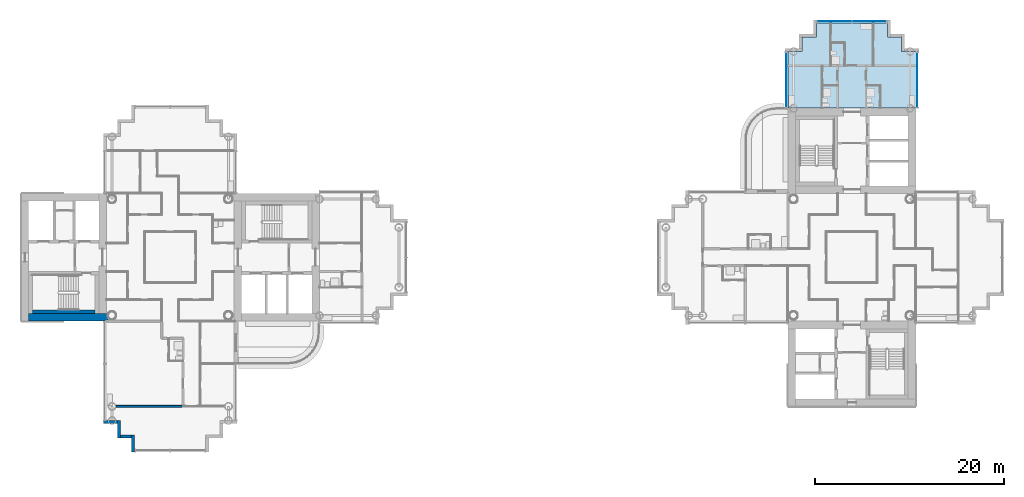
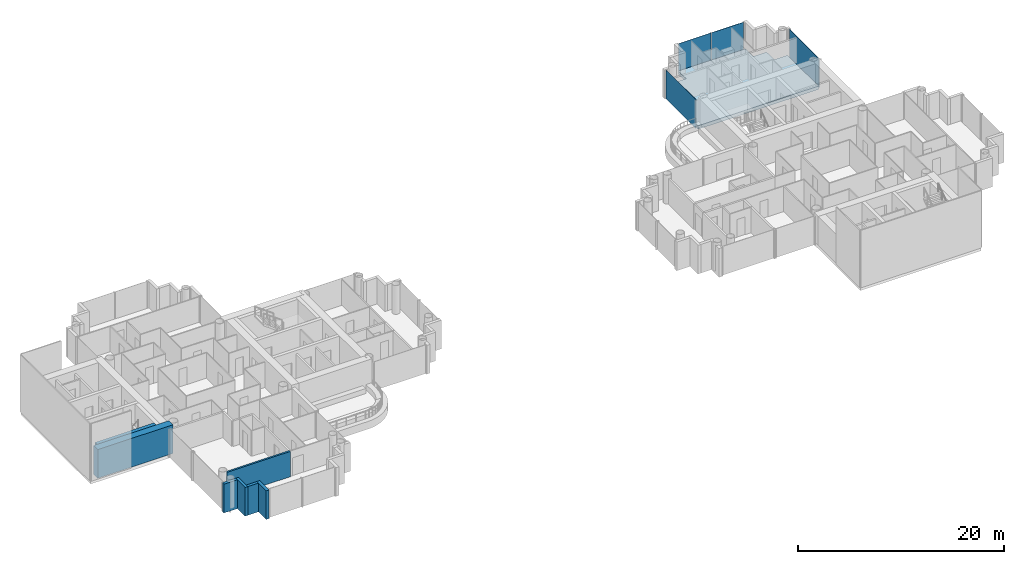
# One storey, part 6 of 20: 7 walls, 4 plates, 1 slab, 3 elements without a shape of their own.
"""IFC4 building model written with IfcOpenShell, lengths in metres."""

from ifc_helpers import new_model, si_unit, direction, frame, frame_2d, origin, origin_2d, place, context, subcontext, project, spatial, polyline, rectangle, outline, extrude, material, layer, layer_set, type_object, element, aggregate, save


model = new_model("IFC4")

# Units and contexts
model_context = context("Model", 3, precision=1e-05, world=origin(), true_north=direction((0.0, 1.0)))
body_context = subcontext(model_context, "Body", "Model", "MODEL_VIEW")
ifc_project = project(units=[si_unit("LENGTHUNIT", "METRE"), si_unit("AREAUNIT", "SQUARE_METRE"), si_unit("VOLUMEUNIT", "CUBIC_METRE"), si_unit("PLANEANGLEUNIT", "RADIAN"), si_unit("MASSUNIT", "GRAM", prefix="KILO")], contexts=[model_context])

# Site, building, storey
site_placement = place(None, origin())
site = spatial("IfcSite", under=ifc_project, at=site_placement, CompositionType="ELEMENT")
building_placement = place(site_placement, origin())
building = spatial("IfcBuilding", under=site, at=building_placement, Name="Ipe Terrace Towers", CompositionType="ELEMENT")
storey_placement = place(building_placement, frame((0.0, 0.0, 167.699951171875)))
storey = spatial("IfcBuildingStorey", under=building, at=storey_placement, Name="L46", CompositionType="ELEMENT", Elevation=167.699951171875)

# Slab
ifc_material_1 = material(Name="Concrete C40/50", Category="concrete")
ifc_layer_1 = layer(ifc_material_1, 0.39990234375)
ifc_layer_set_1 = layer_set([ifc_layer_1], Name="FLAT PLATE SLAB 400 C40-50")
slab_type = type_object("IfcSlabType", Name="FLAT PLATE SLAB 400 C40-50", PredefinedType="FLOOR", material=ifc_layer_set_1)
slab_placement = place(storey_placement, frame((0.0, 0.0, -0.39990234375)))
element("IfcSlab", 1, at=slab_placement, inside=storey, type_object=slab_type, Name="Slab T2-FS-Z32", PredefinedType="FLOOR", context=body_context, shape_type="SweptSolid", body=[
    extrude(outline(polyline([(30.75, 21.75), (30.75, 23.25), (32.25, 23.25), (32.25, 24.75), (39.75, 24.75), (39.75, 23.25), (41.25, 23.25), (41.25, 21.75), (42.75, 21.75), (42.75, 15.75), (29.25, 15.75), (29.25, 21.75), (30.75, 21.75)])), origin(), (0.0, 0.0, 1.0), 0.39990234375),
])

# Curtain wall, plate
ifc_material_2 = material(Name="Aluminium alloy 6063-T6", Category="aluminium")
ifc_layer_2 = layer(ifc_material_2, 0.320068359375)
ifc_layer_set_2 = layer_set([ifc_layer_2], Name="TOWER UNITISED CURTAIN WALL")
curtain_wall_type = type_object("IfcCurtainWallType", Name="TOWER UNITISED CURTAIN WALL", PredefinedType="NOTDEFINED", material=ifc_layer_set_2)
curtain_wall_1_placement = place(storey_placement, origin())
curtain_wall_1 = element("IfcCurtainWall", 2, at=curtain_wall_1_placement, inside=storey, type_object=curtain_wall_type, Name="T2-CW-L46-16b curtain wall", PredefinedType="NOTDEFINED")
ifc_material_3 = material(Name="Glass, clear laminated", Category="glass")
ifc_layer_3 = layer(ifc_material_3, 0.031982421875)
ifc_layer_set_3 = layer_set([ifc_layer_3], Name="TOWER UNITISED GLASS PANEL 32")
plate_type = type_object("IfcPlateType", Name="TOWER UNITISED GLASS PANEL 32", PredefinedType="CURTAIN_PANEL", material=ifc_layer_set_3)
plate_1_placement = place(storey_placement, frame((42.909912109375, 18.75048828125, -0.2998046875), z_axis=(0.0, 0.0, 1.0), x_axis=(0.0, 1.0, 0.0)))
plate_1 = element("IfcPlate", 3, at=plate_1_placement, type_object=plate_type, Name="T2-CW-L46-16b panel 1", PredefinedType="CURTAIN_PANEL", context=body_context, shape_type="SweptSolid", body=[
    extrude(rectangle(XDim=5.759033203125, YDim=0.031982421875, at=origin_2d()), origin(), (0.0, 0.0, 1.0), 3.39990234375),
])
aggregate(curtain_wall_1, [plate_1])

# Curtain wall, plates
curtain_wall_2_placement = place(storey_placement, origin())
curtain_wall_2 = element("IfcCurtainWall", 4, at=curtain_wall_2_placement, inside=storey, type_object=curtain_wall_type, Name="T2-CW-L46-21a curtain wall", PredefinedType="NOTDEFINED")
plate_2_placement = place(storey_placement, frame((37.831298828125, 24.909912109375, -0.2998046875), z_axis=(0.0, 0.0, 1.0), x_axis=(-1.0, 0.0, 0.0)))
plate_2 = element("IfcPlate", 5, at=plate_2_placement, type_object=plate_type, Name="T2-CW-L46-21a panel 1", PredefinedType="CURTAIN_PANEL", context=body_context, shape_type="SweptSolid", body=[
    extrude(rectangle(XDim=3.597412109375, YDim=0.031982421875, at=origin_2d()), origin(), (0.0, 0.0, 1.0), 3.39990234375),
])
plate_3_placement = place(storey_placement, frame((34.168701171875, 24.909912109375, -0.2998046875), z_axis=(0.0, 0.0, 1.0), x_axis=(-1.0, 0.0, 0.0)))
plate_3 = element("IfcPlate", 6, at=plate_3_placement, type_object=plate_type, Name="T2-CW-L46-21a panel 2", PredefinedType="CURTAIN_PANEL", context=body_context, shape_type="SweptSolid", body=[
    extrude(rectangle(XDim=3.597412109375, YDim=0.031982421875, at=origin_2d()), origin(), (0.0, 0.0, 1.0), 3.39990234375),
])
aggregate(curtain_wall_2, [plate_2, plate_3])

# Curtain wall, plate
curtain_wall_3_placement = place(storey_placement, origin())
curtain_wall_3 = element("IfcCurtainWall", 7, at=curtain_wall_3_placement, inside=storey, type_object=curtain_wall_type, Name="T2-CW-L46-26a curtain wall", PredefinedType="NOTDEFINED")
plate_4_placement = place(storey_placement, frame((29.090087890625, 18.75048828125, -0.2998046875), z_axis=(0.0, 0.0, 1.0), x_axis=(0.0, -1.0, 0.0)))
plate_4 = element("IfcPlate", 8, at=plate_4_placement, type_object=plate_type, Name="T2-CW-L46-26a panel 1", PredefinedType="CURTAIN_PANEL", context=body_context, shape_type="SweptSolid", body=[
    extrude(rectangle(XDim=5.759033203125, YDim=0.031982421875, at=origin_2d()), origin(), (0.0, 0.0, 1.0), 3.39990234375),
])
aggregate(curtain_wall_3, [plate_4])

# Walls
ifc_material_4 = material(Name="Concrete C40/50 with buff precast cladding", Category="concrete")
ifc_layer_4 = layer(ifc_material_4, 0.320068359375)
ifc_layer_set_4 = layer_set([ifc_layer_4], Name="BUFF CLADDING WALL 320")
wall_type_1 = type_object("IfcWallType", Name="BUFF CLADDING WALL 320", PredefinedType="STANDARD", material=ifc_layer_set_4)
wall_1_placement = place(storey_placement, frame((-43.070068359375, -17.409912109375, -0.300048828125), z_axis=(0.0, 0.0, 1.0), x_axis=(1.0, 0.0, 0.0)))
element("IfcWall", 9, at=wall_1_placement, inside=storey, type_object=wall_type_1, Name="T1-W-L46-04a wall", PredefinedType="STANDARD", context=body_context, shape_type="SweptSolid", body=[
    extrude(rectangle(XDim=1.5, YDim=0.320068359375, at=frame_2d((0.75, 0.0))), origin(), (0.0, 0.0, 1.0), 3.400146484375),
])
wall_2_placement = place(storey_placement, frame((-41.409912109375, -17.25, -0.300048828125), z_axis=(0.0, 0.0, 1.0), x_axis=(0.0, -1.0, 0.0)))
element("IfcWall", 10, at=wall_2_placement, inside=storey, type_object=wall_type_1, Name="T1-W-L46-05a wall", PredefinedType="STANDARD", context=body_context, shape_type="SweptSolid", body=[
    extrude(rectangle(XDim=1.820068359375, YDim=0.320068359375, at=frame_2d((0.91015625, 0.0))), origin(), (0.0, 0.0, 1.0), 3.400146484375),
])
wall_3_placement = place(storey_placement, frame((-41.25, -18.909912109375, -0.300048828125), z_axis=(0.0, 0.0, 1.0), x_axis=(1.0, 0.0, 0.0)))
element("IfcWall", 11, at=wall_3_placement, inside=storey, type_object=wall_type_1, Name="T1-W-L46-06a wall", PredefinedType="STANDARD", context=body_context, shape_type="SweptSolid", body=[
    extrude(rectangle(XDim=1.179931640625, YDim=0.320068359375, at=frame_2d((0.58984375, 0.0))), origin(), (0.0, 0.0, 1.0), 3.400146484375),
])
wall_4_placement = place(storey_placement, frame((-39.909912109375, -18.75, -0.300048828125), z_axis=(0.0, 0.0, 1.0), x_axis=(0.0, -1.0, 0.0)))
element("IfcWall", 12, at=wall_4_placement, inside=storey, type_object=wall_type_1, Name="T1-W-L46-07a wall", PredefinedType="STANDARD", context=body_context, shape_type="SweptSolid", body=[
    extrude(rectangle(XDim=1.820068359375, YDim=0.320068359375, at=frame_2d((0.91015625, 0.0))), origin(), (0.0, 0.0, 1.0), 3.400146484375),
])
ifc_material_5 = material(Name="Gypsum board party wall", Category="plasterboard")
ifc_layer_5 = layer(ifc_material_5, 0.199951171875)
ifc_layer_set_5 = layer_set([ifc_layer_5], Name="Gypsum board party wall 200 mm")
wall_type_2 = type_object("IfcWallType", Name="Gypsum board party wall 200 mm", PredefinedType="SOLIDWALL", material=ifc_layer_set_5)
wall_5_placement = place(storey_placement, frame((-41.75, -15.75, 0.0), z_axis=(0.0, 0.0, 1.0), x_axis=(1.0, 0.0, 0.0)))
element("IfcWall", 13, at=wall_5_placement, inside=storey, type_object=wall_type_2, Name="Gypsum board party wall T1 L46 W21", PredefinedType="SOLIDWALL", context=body_context, shape_type="SweptSolid", body=[
    extrude(rectangle(XDim=7.10009765625, YDim=0.199951171875, at=frame_2d((3.550048828125, 0.0))), origin(), (0.0, 0.0, 1.0), 3.0),
])
ifc_material_6 = material(Name="Concrete C50/60", Category="concrete")
ifc_layer_6 = layer(ifc_material_6, 0.39990234375)
ifc_layer_set_6 = layer_set([ifc_layer_6], Name="RW400 CORE INFILL WALL 400 C50-60")
wall_type_3 = type_object("IfcWallType", Name="RW400 CORE INFILL WALL 400 C50-60", PredefinedType="SHEAR", material=ifc_layer_set_6)
wall_6_placement = place(storey_placement, frame((-43.949951171875, -5.75, 0.0), z_axis=(0.0, 0.0, 1.0), x_axis=(-1.0, 0.0, 0.0)))
element("IfcWall", 14, at=wall_6_placement, inside=storey, type_object=wall_type_3, Name="Core infill wall T1-C2-back", PredefinedType="SHEAR", context=body_context, shape_type="SweptSolid", body=[
    extrude(rectangle(XDim=6.60009765625, YDim=0.39990234375, at=frame_2d((3.300048828125, 0.0))), origin(), (0.0, 0.0, 1.0), 3.400146484375),
])
ifc_material_7 = material(Name="Concrete C50/60", Category="concrete")
ifc_layer_7 = layer(ifc_material_7, 0.800048828125)
ifc_layer_set_7 = layer_set([ifc_layer_7], Name="RW800 CORE WALL 800 C50-60")
wall_type_4 = type_object("IfcWallType", Name="RW800 CORE WALL 800 C50-60", PredefinedType="SHEAR", material=ifc_layer_set_7)
wall_7_placement = place(storey_placement, frame((-50.949951171875, -6.35009765625, 0.0), z_axis=(0.0, 0.0, 1.0), x_axis=(1.0, 0.0, 0.0)))
element("IfcWall", 15, at=wall_7_placement, inside=storey, type_object=wall_type_4, Name="Core wall T1-C2-Z3-W01", PredefinedType="SHEAR", context=body_context, shape_type="SweptSolid", body=[
    extrude(rectangle(XDim=8.39794921875, YDim=0.800048828125, at=frame_2d((4.198974609375, 0.0))), origin(), (0.0, 0.0, 1.0), 3.400146484375),
])

save(model, "model.ifc")
